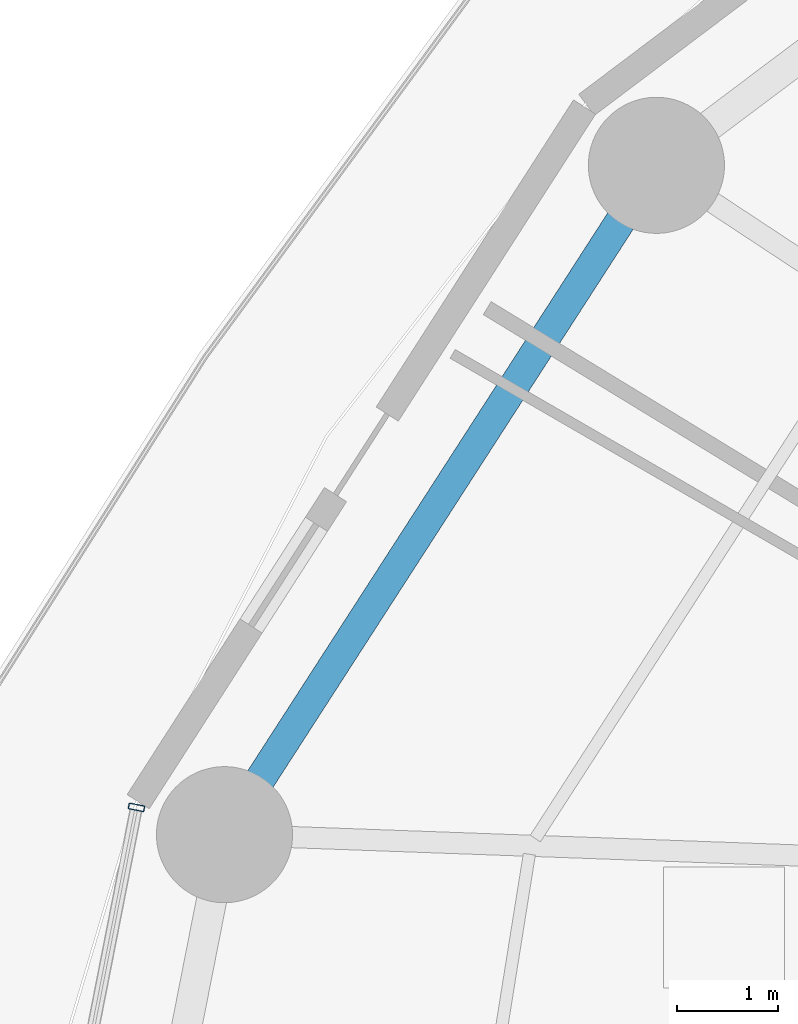
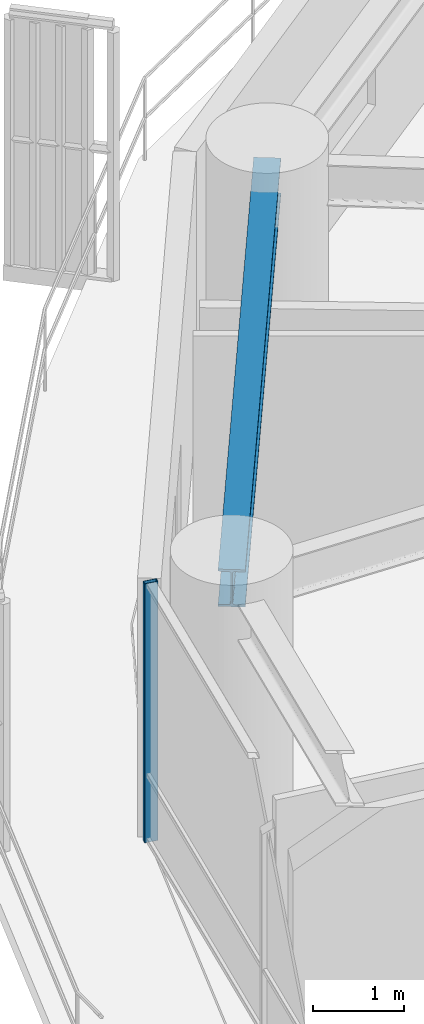
# One storey, part 17 of 35: 1 beam, 1 member, 1 element without a shape of its own.
"""IFC4 building model written with IfcOpenShell, lengths in metres."""

from ifc_helpers import new_model, si_unit, direction, frame, origin, origin_2d, place, context, subcontext, project, spatial, hollow_rectangle, i_section, extrude, material, layer, layer_set, material_profile, profile_set, type_object, element, aggregate, save


model = new_model("IFC4")

# Units and contexts
model_context = context("Model", 3, precision=1e-05, world=origin(), true_north=direction((0.0, 1.0)))
body_context = subcontext(model_context, "Body", "Model", "MODEL_VIEW")
ifc_project = project(units=[si_unit("LENGTHUNIT", "METRE"), si_unit("AREAUNIT", "SQUARE_METRE"), si_unit("VOLUMEUNIT", "CUBIC_METRE"), si_unit("PLANEANGLEUNIT", "RADIAN"), si_unit("MASSUNIT", "GRAM", prefix="KILO")], contexts=[model_context])

# Site, building, storey
site_placement = place(None, origin())
site = spatial("IfcSite", under=ifc_project, at=site_placement, CompositionType="ELEMENT")
building_placement = place(site_placement, origin())
building = spatial("IfcBuilding", under=site, at=building_placement, Name="Kelanora Arch Commons", CompositionType="ELEMENT")
storey_placement = place(building_placement, frame((0.0, 0.0, 95.10009765625)))
storey = spatial("IfcBuildingStorey", under=building, at=storey_placement, Name="L24", CompositionType="ELEMENT", Elevation=95.10009765625)

# Beam
ifc_material_1 = material(Name="Steel S355", Category="steel")
ifc_material_profile_1 = material_profile(ifc_material_1, i_section(OverallWidth=0.300048828125, OverallDepth=0.5, WebThickness=0.014404296875, FlangeThickness=0.028076171875, FilletRadius=0.027099609375, at=origin_2d()), Name="HEB500")
ifc_profile_set_1 = profile_set([ifc_material_profile_1], Name="Steel S355")
beam_type = type_object("IfcBeamType", Name="BM-SPN-Z2", PredefinedType="SPANDREL", material=ifc_profile_set_1)
beam_placement = place(storey_placement, frame((55.093994140625, 72.19287109375, 3.239990234375), z_axis=(-0.542221144054, -0.840235818649, 0.0), x_axis=(0.840235818649, -0.542221144054, 0.0)))
element("IfcBeam", 1, at=beam_placement, inside=storey, type_object=beam_type, Name="Perimeter Spandrel Beam BS-14 L24", PredefinedType="SPANDREL", context=body_context, shape_type="SweptSolid", body=[
    extrude(i_section(OverallWidth=0.300048828125, OverallDepth=0.5, WebThickness=0.014404296875, FlangeThickness=0.028076171875, FilletRadius=0.027099609375, at=origin_2d()), origin(), (0.0, 0.0, 1.0), 7.90380859375),
])

# Curtain wall, member
ifc_material_2 = material(Name="Terracotta ceramic-fritted low-E glass and aluminium", Category="masonry")
ifc_layer = layer(ifc_material_2, 0.159912109375)
ifc_layer_set = layer_set([ifc_layer], Name="Terracotta ceramic-fritted low-E glass and aluminium")
curtain_wall_type = type_object("IfcCurtainWallType", Name="CW-SYS-01", PredefinedType="NOTDEFINED", material=ifc_layer_set)
curtain_wall_placement = place(storey_placement, origin())
curtain_wall = element("IfcCurtainWall", 2, at=curtain_wall_placement, inside=storey, type_object=curtain_wall_type, Name="Unitised Curtain Wall L24-B08", PredefinedType="NOTDEFINED")
ifc_material_3 = material(Name="Powder-coated aluminium terracotta", Category="masonry")
ifc_material_profile_2 = material_profile(ifc_material_3, hollow_rectangle(XDim=0.159912109375, YDim=0.06005859375, WallThickness=0.0048828125, InnerFilletRadius=0.0048828125, OuterFilletRadius=0.010009765625, at=origin_2d()), Name="CWM160x60")
ifc_profile_set_2 = profile_set([ifc_material_profile_2], Name="Powder-coated aluminium terracotta")
member_type = type_object("IfcMemberType", Name="CWM-STD", PredefinedType="MULLION", material=ifc_profile_set_2)
member_placement = place(storey_placement, frame((49.935302734375, 65.822265625, 0.0), z_axis=(0.0, 0.0, 1.0), x_axis=(0.981280311646, -0.192584916272, 0.0)))
member = element("IfcMember", 3, at=member_placement, type_object=member_type, Name="CW-01 mullion 1", PredefinedType="MULLION", context=body_context, shape_type="SweptSolid", body=[
    extrude(hollow_rectangle(XDim=0.159912109375, YDim=0.06005859375, WallThickness=0.0048828125, InnerFilletRadius=0.0048828125, OuterFilletRadius=0.010009765625, at=origin_2d()), origin(), (0.0, 0.0, 1.0), 3.474853515625),
])
aggregate(curtain_wall, [member])

save(model, "model.ifc")
